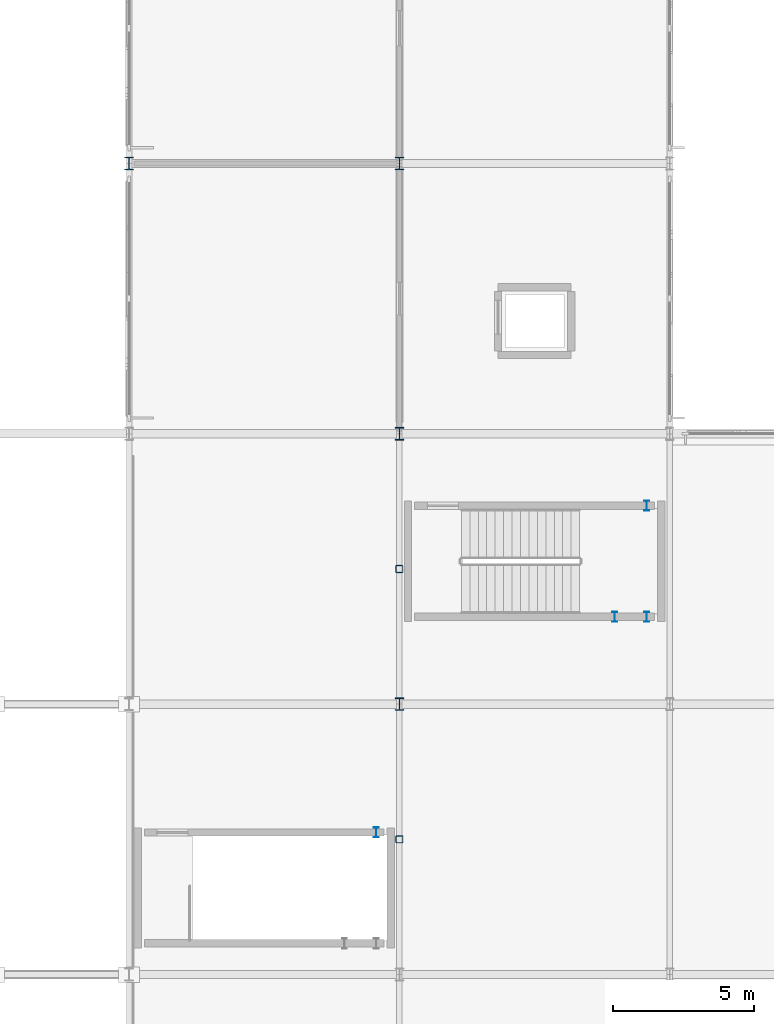
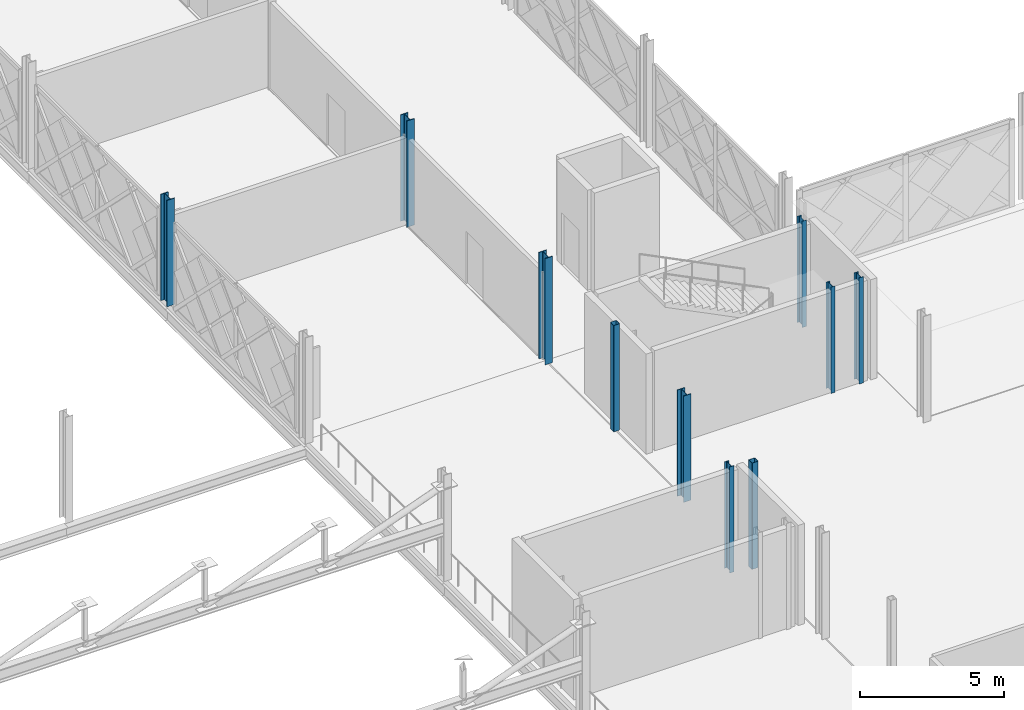
# One storey, part 4 of 101: 10 columns.
"""IFC4 building model written with IfcOpenShell, lengths in metres."""

import ifcopenshell
import ifcopenshell.guid

model = None  # the IFC model being written
_history = None  # IfcOwnerHistory: only IFC2X3 demands one
_inside = {}  # id of a spatial element -> (the spatial element, [elements in it])
_under = {}  # id of a project, library or spatial element -> (it, [spatial elements below it])
_declared = {}  # id of a project -> (the project, [libraries it declares])
_typed = {}  # id of a type object -> (the type object, [elements of that type])
_made_of = {}  # id of a material, layer set ... -> (it, [elements and type objects made of it])


def new_model(schema):
    """Start an empty IFC model of exactly this schema.

    Asked for "IFC4X3", IfcOpenShell would pick the latest addendum, in which some entities
    have other attributes; the version numbers below select the first issue.
    IFC2X3 requires an IfcOwnerHistory on every rooted entity: one is made here for all.
    """
    global model, _history
    if schema == "IFC4X3":
        model = ifcopenshell.file(schema_version=(4, 3, 0, 0))
    else:
        model = ifcopenshell.file(schema=schema)
    _inside.clear()
    _under.clear()
    _declared.clear()
    _typed.clear()
    _made_of.clear()
    _history = None
    if model.schema == "IFC2X3":
        org = make("IfcOrganization", Name="unknown")
        user = make(
            "IfcPersonAndOrganization",
            ThePerson=make("IfcPerson", FamilyName="unknown"),
            TheOrganization=org,
        )
        app = make(
            "IfcApplication",
            ApplicationDeveloper=org,
            Version="unknown",
            ApplicationFullName="unknown",
            ApplicationIdentifier="unknown",
        )
        _history = make(
            "IfcOwnerHistory",
            OwningUser=user,
            OwningApplication=app,
            ChangeAction="ADDED",
            CreationDate=0,
        )
    return model


def make(cls, **values):
    """One entity of the class cls with the attributes given. An attribute that is None is left unset."""
    return model.create_entity(
        cls, **{name: value for name, value in values.items() if value is not None}
    )


def rooted(cls, **values):
    """An entity with a GlobalId (a new one), such as an element, a storey or a relation."""
    return make(cls, GlobalId=ifcopenshell.guid.new(), OwnerHistory=_history, **values)


def si_unit(unit_type, name, prefix=None):
    """IfcSIUnit, for example si_unit("LENGTHUNIT", "METRE", prefix="MILLI")."""
    return make("IfcSIUnit", UnitType=unit_type, Prefix=prefix, Name=name)


def assignment(units):
    """IfcUnitAssignment: the units of a project."""
    return None if units is None else make("IfcUnitAssignment", Units=units)


def point(xyz):
    """IfcCartesianPoint."""
    return None if xyz is None else make("IfcCartesianPoint", Coordinates=xyz)


def direction(xyz):
    """IfcDirection."""
    return None if xyz is None else make("IfcDirection", DirectionRatios=xyz)


def frame(location, z_axis=None, x_axis=None):
    """IfcAxis2Placement3D, a coordinate frame: its origin and axes. An axis left out is left unset."""
    return make(
        "IfcAxis2Placement3D",
        Location=point(location),
        Axis=direction(z_axis),
        RefDirection=direction(x_axis),
    )


def frame_2d(location, x_axis=None):
    """IfcAxis2Placement2D, a coordinate frame in the plane: its origin and x axis."""
    return make(
        "IfcAxis2Placement2D", Location=point(location), RefDirection=direction(x_axis)
    )


def origin():
    """The frame at (0, 0, 0) with its axes left unset."""
    return frame((0.0, 0.0, 0.0))


def origin_2d():
    """The frame at (0, 0) in the plane with its x axis left unset."""
    return frame_2d((0.0, 0.0))


def place(relative_to, where):
    """IfcLocalPlacement: puts the frame where relative to a parent placement (None: the world)."""
    return make(
        "IfcLocalPlacement", PlacementRelTo=relative_to, RelativePlacement=where
    )


def context(
    kind, dimensions, precision=None, world=None, true_north=None, identifier=None
):
    """IfcGeometricRepresentationContext, for example the 3D "Model" context."""
    return make(
        "IfcGeometricRepresentationContext",
        ContextIdentifier=identifier,
        ContextType=kind,
        CoordinateSpaceDimension=dimensions,
        Precision=precision,
        WorldCoordinateSystem=world,
        TrueNorth=true_north,
    )


def subcontext(parent, identifier, kind, view, scale=None):
    """IfcGeometricRepresentationSubContext, for example "Body" below "Model"."""
    return make(
        "IfcGeometricRepresentationSubContext",
        ContextIdentifier=identifier,
        ContextType=kind,
        ParentContext=parent,
        TargetScale=scale,
        TargetView=view,
    )


def project(units=None, contexts=None):
    """IfcProject with its units and contexts."""
    return rooted(
        "IfcProject",
        Name="project",
        RepresentationContexts=contexts,
        UnitsInContext=assignment(units),
    )


def spatial(cls, under=None, at=None, **own):
    """A site, building, storey or space (cls), placed at a placement, below another one or the project."""
    s = rooted(cls, ObjectPlacement=at, **own)
    if under is not None:
        _under.setdefault(under.id(), (under, []))[1].append(s)
    return s


def profile(cls, at=None, kind="AREA", **sizes):
    """A parametric profile (cls). Its sizes go by their IFC names, for example OverallWidth=200.0."""
    return make(cls, ProfileType=kind, Position=at, **sizes)


def hollow_rectangle(**sizes):
    """IfcRectangleHollowProfileDef."""
    return profile("IfcRectangleHollowProfileDef", **sizes)


def i_section(**sizes):
    """IfcIShapeProfileDef."""
    return profile("IfcIShapeProfileDef", **sizes)


def extrude(swept, where, along, depth):
    """IfcExtrudedAreaSolid: the profile swept, set in the frame where, extruded along a direction by depth."""
    return make(
        "IfcExtrudedAreaSolid",
        SweptArea=swept,
        Position=where,
        ExtrudedDirection=direction(along),
        Depth=depth,
    )


def shape(context_of_items, identifier, shape_type, items):
    """IfcShapeRepresentation: the items that make up one representation, for example the "Body"."""
    return make(
        "IfcShapeRepresentation",
        ContextOfItems=context_of_items,
        RepresentationIdentifier=identifier,
        RepresentationType=shape_type,
        Items=items,
    )


def material(Name=None, Category=None):
    """IfcMaterial."""
    return make("IfcMaterial", Name=Name, Category=Category)


def material_profile(
    of_material, cross_section, Name=None, Category=None, Priority=None
):
    """IfcMaterialProfile: a cross section and its material."""
    return make(
        "IfcMaterialProfile",
        Name=Name,
        Material=of_material,
        Profile=cross_section,
        Priority=Priority,
        Category=Category,
    )


def profile_set(profiles, Name=None, composite=None):
    """IfcMaterialProfileSet."""
    return make(
        "IfcMaterialProfileSet",
        Name=Name,
        MaterialProfiles=profiles,
        CompositeProfile=composite,
    )


def made_of(thing, what):
    """Note that an element or type object is made of a material, layer set ...; save() writes the relation."""
    if what is not None:
        _made_of.setdefault(what.id(), (what, []))[1].append(thing)
    return thing


def type_object(cls, material=None, **own):
    """A type object (cls), such as IfcWallType, which elements share."""
    return made_of(rooted(cls, **own), material)


def element(
    cls,
    number,
    at=None,
    inside=None,
    cuts=None,
    type_object=None,
    material=None,
    context=None,
    identifier="Body",
    shape_type=None,
    held_by="IfcProductDefinitionShape",
    body=None,
    shapes=None,
    **own,
):
    """One element of the class cls, such as IfcWall. Its Tag is "e" and its number.

    at: its placement. inside: the storey or other place that contains it. cuts: it is an
    opening in that element (IfcRelVoidsElement). A single representation is given by context,
    identifier, shape_type and body (its items); several are given by shapes. held_by: the class
    of the entity that holds the representations. save() writes the other relations.
    """
    e = rooted(cls, Tag="e%d" % number, ObjectPlacement=at, **own)
    if body is not None:
        shapes = [shape(context, identifier, shape_type, body)]
    if shapes is not None:
        e.Representation = make(held_by, Representations=shapes)
    if inside is not None:
        _inside.setdefault(inside.id(), (inside, []))[1].append(e)
    if cuts is not None:
        rooted(
            "IfcRelVoidsElement", RelatingBuildingElement=cuts, RelatedOpeningElement=e
        )
    if type_object is not None:
        _typed.setdefault(type_object.id(), (type_object, []))[1].append(e)
    return made_of(e, material)


def aggregate(whole, parts):
    """IfcRelAggregates: a whole, such as a stair, and the parts it consists of."""
    return rooted("IfcRelAggregates", RelatingObject=whole, RelatedObjects=parts)


def save(model, path):
    """Write the relations noted so far, then the file.

    IfcRelAggregates (storeys below a building ...), IfcRelContainedInSpatialStructure (elements
    in a storey), IfcRelDefinesByType, IfcRelAssociatesMaterial and IfcRelDeclares: one each for
    every whole, place, type object, material and project.
    """
    for whole, parts in _under.values():
        aggregate(whole, parts)
    for where, things in _inside.values():
        rooted(
            "IfcRelContainedInSpatialStructure",
            RelatedElements=things,
            RelatingStructure=where,
        )
    for kind, things in _typed.values():
        rooted("IfcRelDefinesByType", RelatedObjects=things, RelatingType=kind)
    for what, things in _made_of.values():
        rooted("IfcRelAssociatesMaterial", RelatedObjects=things, RelatingMaterial=what)
    for by, libraries in _declared.values():
        rooted("IfcRelDeclares", RelatingContext=by, RelatedDefinitions=libraries)
    model.write(path)


model = new_model("IFC4")

# Units and contexts
model_context = context("Model", 3, precision=1e-05, world=origin(), true_north=direction((0.0, 1.0)))
body_context = subcontext(model_context, "Body", "Model", "MODEL_VIEW")
ifc_project = project(units=[si_unit("LENGTHUNIT", "METRE"), si_unit("AREAUNIT", "SQUARE_METRE"), si_unit("VOLUMEUNIT", "CUBIC_METRE"), si_unit("PLANEANGLEUNIT", "RADIAN"), si_unit("MASSUNIT", "GRAM", prefix="KILO")], contexts=[model_context])

# Site, building, storey
site_placement = place(None, origin())
site = spatial("IfcSite", under=ifc_project, at=site_placement, CompositionType="ELEMENT")
building_placement = place(site_placement, origin())
building = spatial("IfcBuilding", under=site, at=building_placement, Name="Zevrakil Square Congress Hotel", CompositionType="ELEMENT")
storey_placement = place(building_placement, frame((0.0, 0.0, 5.39990234375)))
storey = spatial("IfcBuildingStorey", under=building, at=storey_placement, Name="L02", CompositionType="ELEMENT", Elevation=5.39990234375)

# Columns
ifc_material_1 = material(Name="Steel S355", Category="steel")
ifc_material_profile_1 = material_profile(ifc_material_1, i_section(OverallWidth=0.300048828125, OverallDepth=0.449951171875, WebThickness=0.013916015625, FlangeThickness=0.02587890625, FilletRadius=0.027099609375, at=origin_2d()), Name="HEB 450")
ifc_profile_set_1 = profile_set([ifc_material_profile_1], Name="Steel S355")
column_type_1 = type_object("IfcColumnType", Name="COL-HEB450", PredefinedType="COLUMN", material=ifc_profile_set_1)
for number, where, z_axis, x_axis, name in (
    (1, (45.60009765625, 55.199951171875, 0.0), (0.0, 0.0, 1.0), (1.0, 0.0, 0.0), "L02 column C-073"),
    (2, (55.199951171875, 36.0, 0.0), (0.0, 0.0, 1.0), (1.0, 0.0, 0.0), "L02 column C-088"),
    (3, (55.199951171875, 45.60009765625, 0.0), (0.0, 0.0, 1.0), (1.0, 0.0, 0.0), "L02 column C-090"),
    (4, (55.199951171875, 55.199951171875, 0.0), (0.0, 0.0, 1.0), (1.0, 0.0, 0.0), "L02 column C-091"),
):
    element("IfcColumn", number, at=place(storey_placement, frame(where, z_axis=z_axis, x_axis=x_axis)), inside=storey, type_object=column_type_1, Name=name, PredefinedType="COLUMN", context=body_context, shape_type="SweptSolid", body=[
        extrude(i_section(OverallWidth=0.300048828125, OverallDepth=0.449951171875, WebThickness=0.013916015625, FlangeThickness=0.02587890625, FilletRadius=0.027099609375, at=origin_2d()), origin(), (0.0, 0.0, 1.0), 4.5),
    ])
ifc_material_2 = material(Name="Steel S355", Category="steel")
ifc_material_profile_2 = material_profile(ifc_material_2, i_section(OverallWidth=0.169921875, OverallDepth=0.360107421875, WebThickness=0.008056640625, FlangeThickness=0.0126953125, FilletRadius=0.01806640625, at=origin_2d()), Name="IPE 360")
ifc_profile_set_2 = profile_set([ifc_material_profile_2], Name="Steel S355")
column_type_2 = type_object("IfcColumnType", Name="COL-PILASTER-SHS180", PredefinedType="PILASTER", material=ifc_profile_set_2)
for number, where, z_axis, x_axis, name in (
    (5, (62.85009765625, 39.10009765625, 0.0), (0.0, 0.0, 1.0), (1.0, 0.0, 0.0), "L02 ST04 stair shaft post 1"),
    (6, (63.97998046875, 39.10009765625, 0.0), (0.0, 0.0, 1.0), (1.0, 0.0, 0.0), "L02 ST04 stair shaft post 2"),
    (7, (63.97998046875, 43.050048828125, 0.0), (0.0, 0.0, 1.0), (1.0, 0.0, 0.0), "L02 ST04 stair shaft post 3"),
    (8, (54.3798828125, 31.449951171875, 0.0), (0.0, 0.0, 1.0), (1.0, 0.0, 0.0), "L02 ST13 stair shaft post 3"),
):
    element("IfcColumn", number, at=place(storey_placement, frame(where, z_axis=z_axis, x_axis=x_axis)), inside=storey, type_object=column_type_2, Name=name, PredefinedType="PILASTER", context=body_context, shape_type="SweptSolid", body=[
        extrude(i_section(OverallWidth=0.169921875, OverallDepth=0.360107421875, WebThickness=0.008056640625, FlangeThickness=0.0126953125, FilletRadius=0.01806640625, at=origin_2d()), origin(), (0.0, 0.0, 1.0), 4.5),
    ])
ifc_material_3 = material(Name="Steel S355", Category="steel")
ifc_material_profile_3 = material_profile(ifc_material_3, hollow_rectangle(XDim=0.25, YDim=0.25, WallThickness=0.012451171875, InnerFilletRadius=0.012451171875, OuterFilletRadius=0.02490234375, at=origin_2d()), Name="SHS 250x250x12.5")
ifc_profile_set_3 = profile_set([ifc_material_profile_3], Name="Steel S355")
column_type_3 = type_object("IfcColumnType", Name="COL-PILASTER-SHS250", PredefinedType="PILASTER", material=ifc_profile_set_3)
for number, where, z_axis, x_axis, name in (
    (9, (55.199951171875, 31.199951171875, 0.0), (0.0, 0.0, 1.0), (1.0, 0.0, 0.0), "L02 pilaster PL-03"),
    (10, (55.199951171875, 40.800048828125, 0.0), (0.0, 0.0, 1.0), (1.0, 0.0, 0.0), "L02 pilaster PL-04"),
):
    element("IfcColumn", number, at=place(storey_placement, frame(where, z_axis=z_axis, x_axis=x_axis)), inside=storey, type_object=column_type_3, Name=name, PredefinedType="PILASTER", context=body_context, shape_type="SweptSolid", body=[
        extrude(hollow_rectangle(XDim=0.25, YDim=0.25, WallThickness=0.012451171875, InnerFilletRadius=0.012451171875, OuterFilletRadius=0.02490234375, at=origin_2d()), origin(), (0.0, 0.0, 1.0), 4.5),
    ])

save(model, "model.ifc")
